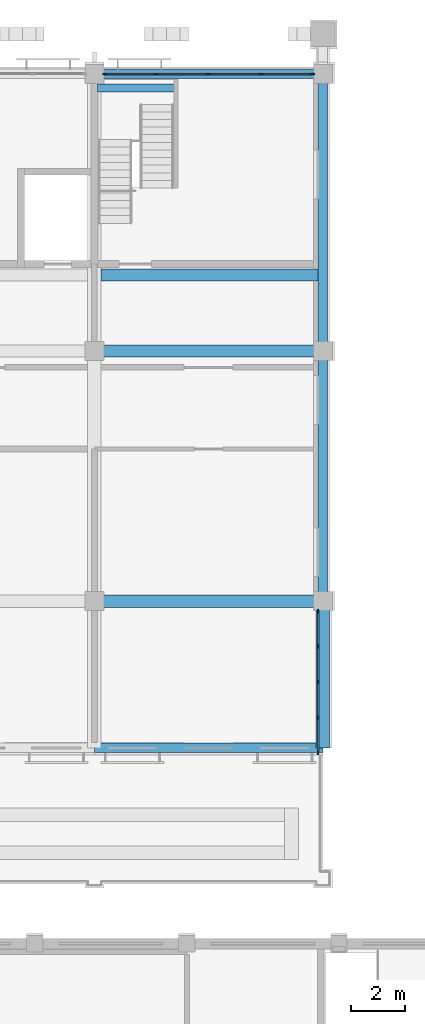
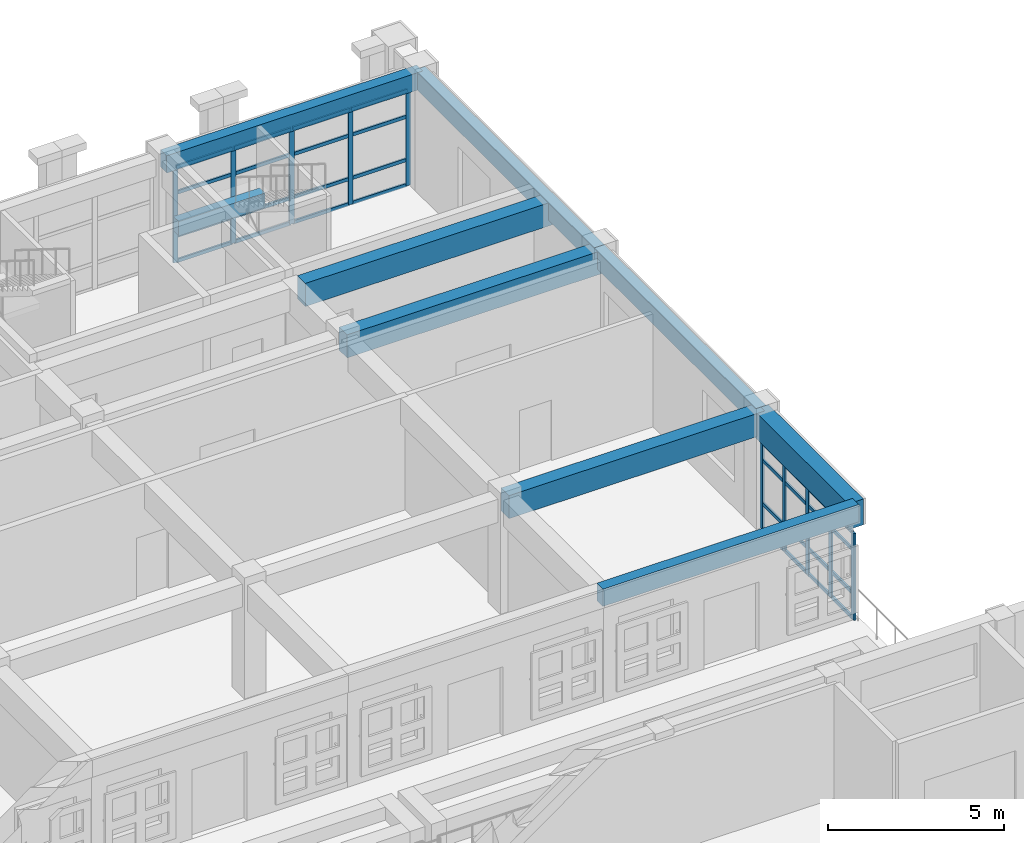
# One storey, part 32 of 99: 42 members, 9 beams, 2 elements without a shape of their own.
"""IFC4 building model written with IfcOpenShell, lengths in metres."""

from ifc_helpers import new_model, si_unit, direction, frame, origin, origin_2d, place, context, subcontext, project, spatial, rectangle, extrude, material, layer, layer_set, material_profile, profile_set, type_object, element, aggregate, save


model = new_model("IFC4")

# Units and contexts
model_context = context("Model", 3, precision=1e-05, world=origin(), true_north=direction((0.0, 1.0)))
body_context = subcontext(model_context, "Body", "Model", "MODEL_VIEW")
ifc_project = project(units=[si_unit("LENGTHUNIT", "METRE"), si_unit("AREAUNIT", "SQUARE_METRE"), si_unit("VOLUMEUNIT", "CUBIC_METRE"), si_unit("PLANEANGLEUNIT", "RADIAN"), si_unit("MASSUNIT", "GRAM", prefix="KILO")], contexts=[model_context])

# Site, building, storey
site_placement = place(None, origin())
site = spatial("IfcSite", under=ifc_project, at=site_placement, CompositionType="ELEMENT")
building_placement = place(site_placement, origin())
building = spatial("IfcBuilding", under=site, at=building_placement, Name="Wasatch Bagh Community Centre", CompositionType="ELEMENT")
storey_placement = place(building_placement, frame((0.0, 0.0, 4.199951171875)))
storey = spatial("IfcBuildingStorey", under=building, at=storey_placement, Name="L01", CompositionType="ELEMENT", Elevation=4.199951171875)

# Beams
ifc_material_1 = material(Name="Concrete C35", Category="concrete")
ifc_material_profile_1 = material_profile(ifc_material_1, rectangle(XDim=0.300048828125, YDim=0.5, at=origin_2d()), Name="RC 300x500")
ifc_profile_set_1 = profile_set([ifc_material_profile_1], Name="Concrete C35")
beam_type_1 = type_object("IfcBeamType", Name="LW RC 300x500", PredefinedType="BEAM", material=ifc_profile_set_1)
beam_1_placement = place(storey_placement, frame((131.304931640625, 97.280029296875, 1.650146484375), z_axis=(1.0, 0.0, 0.0), x_axis=(0.0, 1.0, 0.0)))
element("IfcBeam", 1, at=beam_1_placement, inside=storey, type_object=beam_type_1, Name="LW.lbeam.L01.ES", PredefinedType="BEAM", context=body_context, shape_type="SweptSolid", body=[
    extrude(rectangle(XDim=0.300048828125, YDim=0.5, at=origin_2d()), origin(), (0.0, 0.0, 1.0), 2.840087890625),
])
ifc_material_profile_2 = material_profile(ifc_material_1, rectangle(XDim=0.35009765625, YDim=0.60009765625, at=origin_2d()), Name="RC 350x600")
ifc_profile_set_2 = profile_set([ifc_material_profile_2], Name="Concrete C35")
beam_type_2 = type_object("IfcBeamType", Name="LW RC 350x600", PredefinedType="BEAM", material=ifc_profile_set_2)
beam_2_placement = place(storey_placement, frame((131.199951171875, 97.800048828125, 3.6201171875), z_axis=(1.0, 0.0, 0.0), x_axis=(0.0, 1.0, 0.0)))
element("IfcBeam", 2, at=beam_2_placement, inside=storey, type_object=beam_type_2, Name="W9-W10N", PredefinedType="BEAM", context=body_context, shape_type="SweptSolid", body=[
    extrude(rectangle(XDim=0.35009765625, YDim=0.60009765625, at=origin_2d()), origin(), (0.0, 0.0, 1.0), 8.400146484375),
])
beam_3_placement = place(storey_placement, frame((139.60009765625, 78.39990234375, 3.6201171875), z_axis=(0.0, 1.0, 0.0), x_axis=(-1.0, 0.0, 0.0)))
element("IfcBeam", 3, at=beam_3_placement, inside=storey, type_object=beam_type_2, Name="W10S-M", PredefinedType="BEAM", context=body_context, shape_type="SweptSolid", body=[
    extrude(rectangle(XDim=0.35009765625, YDim=0.60009765625, at=origin_2d()), origin(), (0.0, 0.0, 1.0), 9.2001953125),
])
beam_4_placement = place(storey_placement, frame((139.60009765625, 87.60009765625, 3.6201171875), z_axis=(0.0, 1.0, 0.0), x_axis=(-1.0, 0.0, 0.0)))
element("IfcBeam", 4, at=beam_4_placement, inside=storey, type_object=beam_type_2, Name="W10M-N", PredefinedType="BEAM", context=body_context, shape_type="SweptSolid", body=[
    extrude(rectangle(XDim=0.35009765625, YDim=0.60009765625, at=origin_2d()), origin(), (0.0, 0.0, 1.0), 10.199951171875),
])
beam_5_placement = place(storey_placement, frame((131.199951171875, 73.0, 3.6201171875), z_axis=(1.0, 0.0, 0.0), x_axis=(0.0, 1.0, 0.0)))
element("IfcBeam", 5, at=beam_5_placement, inside=storey, type_object=beam_type_2, Name="W9-W10tip", PredefinedType="BEAM", context=body_context, shape_type="SweptSolid", body=[
    extrude(rectangle(XDim=0.35009765625, YDim=0.60009765625, at=origin_2d()), origin(), (0.0, 0.0, 1.0), 8.400146484375),
])
ifc_material_profile_3 = material_profile(ifc_material_1, rectangle(XDim=0.449951171875, YDim=0.800048828125, at=origin_2d()), Name="RC 450x800")
ifc_profile_set_3 = profile_set([ifc_material_profile_3], Name="Concrete C35")
beam_type_3 = type_object("IfcBeamType", Name="LW RC 450x800", PredefinedType="BEAM", material=ifc_profile_set_3)
for number, where, z_axis, x_axis, name in (
    (6, (131.199951171875, 78.39990234375, 3.52001953125), (1.0, 0.0, 0.0), (0.0, 1.0, 0.0), "W9-W10S"),
    (7, (131.199951171875, 87.60009765625, 3.52001953125), (1.0, 0.0, 0.0), (0.0, 1.0, 0.0), "W9-W10M"),
):
    element("IfcBeam", number, at=place(storey_placement, frame(where, z_axis=z_axis, x_axis=x_axis)), inside=storey, type_object=beam_type_3, Name=name, PredefinedType="BEAM", context=body_context, shape_type="SweptSolid", body=[
        extrude(rectangle(XDim=0.449951171875, YDim=0.800048828125, at=origin_2d()), origin(), (0.0, 0.0, 1.0), 8.400146484375),
    ])
beam_6_placement = place(storey_placement, frame((131.449951171875, 90.39990234375, 3.52001953125), z_axis=(1.0, 0.0, 0.0), x_axis=(0.0, 1.0, 0.0)))
element("IfcBeam", 8, at=beam_6_placement, inside=storey, type_object=beam_type_3, Name="ES-transfer", PredefinedType="BEAM", context=body_context, shape_type="SweptSolid", body=[
    extrude(rectangle(XDim=0.449951171875, YDim=0.800048828125, at=origin_2d()), origin(), (0.0, 0.0, 1.0), 8.150146484375),
])
ifc_material_profile_4 = material_profile(ifc_material_1, rectangle(XDim=0.5, YDim=0.89990234375, at=origin_2d()), Name="RC 500x900")
ifc_profile_set_4 = profile_set([ifc_material_profile_4], Name="Concrete C35")
beam_type_4 = type_object("IfcBeamType", Name="LW RC 500x900", PredefinedType="BEAM", material=ifc_profile_set_4)
beam_7_placement = place(storey_placement, frame((139.60009765625, 78.39990234375, 3.469970703125), z_axis=(0.0, -1.0, 0.0), x_axis=(1.0, 0.0, 0.0)))
element("IfcBeam", 9, at=beam_7_placement, inside=storey, type_object=beam_type_4, Name="W10S-tip", PredefinedType="BEAM", context=body_context, shape_type="SweptSolid", body=[
    extrude(rectangle(XDim=0.5, YDim=0.89990234375, at=origin_2d()), origin(), (0.0, 0.0, 1.0), 5.39990234375),
])

# Curtain wall, members
ifc_material_2 = material(Name="Aluminium curtain wall frame with low-iron glass", Category="aluminium")
ifc_layer_1 = layer(ifc_material_2, 0.10009765625)
ifc_layer_set_1 = layer_set([ifc_layer_1], Name="Aluminium curtain wall frame with low-iron glass")
curtain_wall_type_1 = type_object("IfcCurtainWallType", Name="LW curtain wall 100", PredefinedType="NOTDEFINED", material=ifc_layer_set_1)
curtain_wall_1_placement = place(storey_placement, origin())
curtain_wall_1 = element("IfcCurtainWall", 10, at=curtain_wall_1_placement, inside=storey, type_object=curtain_wall_type_1, Name="Curtain wall 01.07", PredefinedType="NOTDEFINED")
ifc_material_3 = material(Name="Aluminium extrusion", Category="aluminium")
ifc_material_profile_5 = material_profile(ifc_material_3, rectangle(XDim=0.06005859375, YDim=0.159912109375, at=origin_2d()), Name="AL 60x160")
ifc_profile_set_5 = profile_set([ifc_material_profile_5], Name="Aluminium extrusion")
member_type_1 = type_object("IfcMemberType", Name="LW curtain wall mullion 60x160", PredefinedType="MULLION", material=ifc_profile_set_5)
member_1_placement = place(storey_placement, frame((131.580078125, 97.800048828125, 0.0), z_axis=(0.0, 0.0, 1.0), x_axis=(0.0, 1.0, 0.0)))
member_1 = element("IfcMember", 11, at=member_1_placement, type_object=member_type_1, Name="LW-CW1 mullion 1", PredefinedType="MULLION", context=body_context, shape_type="SweptSolid", body=[
    extrude(rectangle(XDim=0.06005859375, YDim=0.159912109375, at=origin_2d()), origin(), (0.0, 0.0, 1.0), 3.320068359375),
])
member_2_placement = place(storey_placement, frame((133.47509765625, 97.800048828125, 0.0), z_axis=(0.0, 0.0, 1.0), x_axis=(0.0, 1.0, 0.0)))
member_2 = element("IfcMember", 12, at=member_2_placement, type_object=member_type_1, Name="LW-CW1 mullion 2", PredefinedType="MULLION", context=body_context, shape_type="SweptSolid", body=[
    extrude(rectangle(XDim=0.06005859375, YDim=0.159912109375, at=origin_2d()), origin(), (0.0, 0.0, 1.0), 3.320068359375),
])
member_3_placement = place(storey_placement, frame((135.39990234375, 97.800048828125, 0.0), z_axis=(0.0, 0.0, 1.0), x_axis=(0.0, 1.0, 0.0)))
member_3 = element("IfcMember", 13, at=member_3_placement, type_object=member_type_1, Name="LW-CW1 mullion 3", PredefinedType="MULLION", context=body_context, shape_type="SweptSolid", body=[
    extrude(rectangle(XDim=0.06005859375, YDim=0.159912109375, at=origin_2d()), origin(), (0.0, 0.0, 1.0), 3.320068359375),
])
member_4_placement = place(storey_placement, frame((137.324951171875, 97.800048828125, 0.0), z_axis=(0.0, 0.0, 1.0), x_axis=(0.0, 1.0, 0.0)))
member_4 = element("IfcMember", 14, at=member_4_placement, type_object=member_type_1, Name="LW-CW1 mullion 4", PredefinedType="MULLION", context=body_context, shape_type="SweptSolid", body=[
    extrude(rectangle(XDim=0.06005859375, YDim=0.159912109375, at=origin_2d()), origin(), (0.0, 0.0, 1.0), 3.320068359375),
])
member_5_placement = place(storey_placement, frame((139.219970703125, 97.800048828125, 0.0), z_axis=(0.0, 0.0, 1.0), x_axis=(0.0, 1.0, 0.0)))
member_5 = element("IfcMember", 15, at=member_5_placement, type_object=member_type_1, Name="LW-CW1 mullion 5", PredefinedType="MULLION", context=body_context, shape_type="SweptSolid", body=[
    extrude(rectangle(XDim=0.06005859375, YDim=0.159912109375, at=origin_2d()), origin(), (0.0, 0.0, 1.0), 3.320068359375),
])

ifc_layer_2 = layer(ifc_material_2, 0.159912109375)
ifc_layer_set_2 = layer_set([ifc_layer_2], Name="Aluminium curtain wall frame with low-iron glass")
curtain_wall_type_2 = type_object("IfcCurtainWallType", Name="LW gable curtain wall 160", PredefinedType="NOTDEFINED", material=ifc_layer_set_2)
curtain_wall_2_placement = place(storey_placement, origin())
curtain_wall_2 = element("IfcCurtainWall", 16, at=curtain_wall_2_placement, inside=storey, type_object=curtain_wall_type_2, Name="Curtain wall 01.09", PredefinedType="NOTDEFINED")
ifc_material_profile_6 = material_profile(ifc_material_3, rectangle(XDim=0.06005859375, YDim=0.159912109375, at=origin_2d()), Name="AL 60x160")
ifc_profile_set_6 = profile_set([ifc_material_profile_6], Name="Aluminium extrusion")
member_type_2 = type_object("IfcMemberType", Name="LW curtain wall mullion 60x160 LW-CW4", PredefinedType="MULLION", material=ifc_profile_set_6)
member_6_placement = place(storey_placement, frame((139.425048828125, 72.830078125, 0.0), z_axis=(0.0, 0.0, 1.0), x_axis=(-1.0, 0.0, 0.0)))
member_6 = element("IfcMember", 17, at=member_6_placement, type_object=member_type_2, Name="LW-CW4 mullion 1", PredefinedType="MULLION", context=body_context, shape_type="SweptSolid", body=[
    extrude(rectangle(XDim=0.06005859375, YDim=0.159912109375, at=origin_2d()), origin(), (0.0, 0.0, 1.0), 3.02001953125),
])
member_7_placement = place(storey_placement, frame((139.425048828125, 74.112548828125, 0.0), z_axis=(0.0, 0.0, 1.0), x_axis=(-1.0, 0.0, 0.0)))
member_7 = element("IfcMember", 18, at=member_7_placement, type_object=member_type_2, Name="LW-CW4 mullion 2", PredefinedType="MULLION", context=body_context, shape_type="SweptSolid", body=[
    extrude(rectangle(XDim=0.06005859375, YDim=0.159912109375, at=origin_2d()), origin(), (0.0, 0.0, 1.0), 3.02001953125),
])
member_8_placement = place(storey_placement, frame((139.425048828125, 75.425048828125, 0.0), z_axis=(0.0, 0.0, 1.0), x_axis=(-1.0, 0.0, 0.0)))
member_8 = element("IfcMember", 19, at=member_8_placement, type_object=member_type_2, Name="LW-CW4 mullion 3", PredefinedType="MULLION", context=body_context, shape_type="SweptSolid", body=[
    extrude(rectangle(XDim=0.06005859375, YDim=0.159912109375, at=origin_2d()), origin(), (0.0, 0.0, 1.0), 3.02001953125),
])
member_9_placement = place(storey_placement, frame((139.425048828125, 76.737548828125, 0.0), z_axis=(0.0, 0.0, 1.0), x_axis=(-1.0, 0.0, 0.0)))
member_9 = element("IfcMember", 20, at=member_9_placement, type_object=member_type_2, Name="LW-CW4 mullion 4", PredefinedType="MULLION", context=body_context, shape_type="SweptSolid", body=[
    extrude(rectangle(XDim=0.06005859375, YDim=0.159912109375, at=origin_2d()), origin(), (0.0, 0.0, 1.0), 3.02001953125),
])
member_10_placement = place(storey_placement, frame((139.425048828125, 78.02001953125, 0.0), z_axis=(0.0, 0.0, 1.0), x_axis=(-1.0, 0.0, 0.0)))
member_10 = element("IfcMember", 21, at=member_10_placement, type_object=member_type_2, Name="LW-CW4 mullion 5", PredefinedType="MULLION", context=body_context, shape_type="SweptSolid", body=[
    extrude(rectangle(XDim=0.06005859375, YDim=0.159912109375, at=origin_2d()), origin(), (0.0, 0.0, 1.0), 3.02001953125),
])

# Member
ifc_material_profile_7 = material_profile(ifc_material_3, rectangle(XDim=0.06005859375, YDim=0.1201171875, at=origin_2d()), Name="AL 60x120")
ifc_profile_set_7 = profile_set([ifc_material_profile_7], Name="Aluminium extrusion")
member_type_3 = type_object("IfcMemberType", Name="LW curtain wall transom 60x120", PredefinedType="USERDEFINED", material=ifc_profile_set_7)
member_11_placement = place(storey_placement, frame((131.610107421875, 97.800048828125, 0.030029296875), z_axis=(1.0, 0.0, 0.0), x_axis=(0.0, 1.0, 0.0)))
member_11 = element("IfcMember", 22, at=member_11_placement, type_object=member_type_3, Name="LW-CW1 transom 1.1", ObjectType="TRANSOM", PredefinedType="USERDEFINED", context=body_context, shape_type="SweptSolid", body=[
    extrude(rectangle(XDim=0.06005859375, YDim=0.1201171875, at=origin_2d()), origin(), (0.0, 0.0, 1.0), 1.8349609375),
])

member_12_placement = place(storey_placement, frame((131.610107421875, 97.800048828125, 0.900146484375), z_axis=(1.0, 0.0, 0.0), x_axis=(0.0, 1.0, 0.0)))
member_12 = element("IfcMember", 23, at=member_12_placement, type_object=member_type_3, Name="LW-CW1 transom 1.2", ObjectType="TRANSOM", PredefinedType="USERDEFINED", context=body_context, shape_type="SweptSolid", body=[
    extrude(rectangle(XDim=0.06005859375, YDim=0.1201171875, at=origin_2d()), origin(), (0.0, 0.0, 1.0), 1.8349609375),
])

member_13_placement = place(storey_placement, frame((131.610107421875, 97.800048828125, 2.400146484375), z_axis=(1.0, 0.0, 0.0), x_axis=(0.0, 1.0, 0.0)))
member_13 = element("IfcMember", 24, at=member_13_placement, type_object=member_type_3, Name="LW-CW1 transom 1.3", ObjectType="TRANSOM", PredefinedType="USERDEFINED", context=body_context, shape_type="SweptSolid", body=[
    extrude(rectangle(XDim=0.06005859375, YDim=0.1201171875, at=origin_2d()), origin(), (0.0, 0.0, 1.0), 1.8349609375),
])

member_14_placement = place(storey_placement, frame((131.610107421875, 97.800048828125, 3.2900390625), z_axis=(1.0, 0.0, 0.0), x_axis=(0.0, 1.0, 0.0)))
member_14 = element("IfcMember", 25, at=member_14_placement, type_object=member_type_3, Name="LW-CW1 transom 1.4", ObjectType="TRANSOM", PredefinedType="USERDEFINED", context=body_context, shape_type="SweptSolid", body=[
    extrude(rectangle(XDim=0.06005859375, YDim=0.1201171875, at=origin_2d()), origin(), (0.0, 0.0, 1.0), 1.8349609375),
])

member_15_placement = place(storey_placement, frame((133.5048828125, 97.800048828125, 0.030029296875), z_axis=(1.0, 0.0, 0.0), x_axis=(0.0, 1.0, 0.0)))
member_15 = element("IfcMember", 26, at=member_15_placement, type_object=member_type_3, Name="LW-CW1 transom 2.1", ObjectType="TRANSOM", PredefinedType="USERDEFINED", context=body_context, shape_type="SweptSolid", body=[
    extrude(rectangle(XDim=0.06005859375, YDim=0.1201171875, at=origin_2d()), origin(), (0.0, 0.0, 1.0), 1.865234375),
])

member_16_placement = place(storey_placement, frame((133.5048828125, 97.800048828125, 0.900146484375), z_axis=(1.0, 0.0, 0.0), x_axis=(0.0, 1.0, 0.0)))
member_16 = element("IfcMember", 27, at=member_16_placement, type_object=member_type_3, Name="LW-CW1 transom 2.2", ObjectType="TRANSOM", PredefinedType="USERDEFINED", context=body_context, shape_type="SweptSolid", body=[
    extrude(rectangle(XDim=0.06005859375, YDim=0.1201171875, at=origin_2d()), origin(), (0.0, 0.0, 1.0), 1.865234375),
])

member_17_placement = place(storey_placement, frame((133.5048828125, 97.800048828125, 2.400146484375), z_axis=(1.0, 0.0, 0.0), x_axis=(0.0, 1.0, 0.0)))
member_17 = element("IfcMember", 28, at=member_17_placement, type_object=member_type_3, Name="LW-CW1 transom 2.3", ObjectType="TRANSOM", PredefinedType="USERDEFINED", context=body_context, shape_type="SweptSolid", body=[
    extrude(rectangle(XDim=0.06005859375, YDim=0.1201171875, at=origin_2d()), origin(), (0.0, 0.0, 1.0), 1.865234375),
])

member_18_placement = place(storey_placement, frame((133.5048828125, 97.800048828125, 3.2900390625), z_axis=(1.0, 0.0, 0.0), x_axis=(0.0, 1.0, 0.0)))
member_18 = element("IfcMember", 29, at=member_18_placement, type_object=member_type_3, Name="LW-CW1 transom 2.4", ObjectType="TRANSOM", PredefinedType="USERDEFINED", context=body_context, shape_type="SweptSolid", body=[
    extrude(rectangle(XDim=0.06005859375, YDim=0.1201171875, at=origin_2d()), origin(), (0.0, 0.0, 1.0), 1.865234375),
])

member_19_placement = place(storey_placement, frame((135.429931640625, 97.800048828125, 0.030029296875), z_axis=(1.0, 0.0, 0.0), x_axis=(0.0, 1.0, 0.0)))
member_19 = element("IfcMember", 30, at=member_19_placement, type_object=member_type_3, Name="LW-CW1 transom 3.1", ObjectType="TRANSOM", PredefinedType="USERDEFINED", context=body_context, shape_type="SweptSolid", body=[
    extrude(rectangle(XDim=0.06005859375, YDim=0.1201171875, at=origin_2d()), origin(), (0.0, 0.0, 1.0), 1.864990234375),
])

member_20_placement = place(storey_placement, frame((135.429931640625, 97.800048828125, 0.900146484375), z_axis=(1.0, 0.0, 0.0), x_axis=(0.0, 1.0, 0.0)))
member_20 = element("IfcMember", 31, at=member_20_placement, type_object=member_type_3, Name="LW-CW1 transom 3.2", ObjectType="TRANSOM", PredefinedType="USERDEFINED", context=body_context, shape_type="SweptSolid", body=[
    extrude(rectangle(XDim=0.06005859375, YDim=0.1201171875, at=origin_2d()), origin(), (0.0, 0.0, 1.0), 1.864990234375),
])

member_21_placement = place(storey_placement, frame((135.429931640625, 97.800048828125, 2.400146484375), z_axis=(1.0, 0.0, 0.0), x_axis=(0.0, 1.0, 0.0)))
member_21 = element("IfcMember", 32, at=member_21_placement, type_object=member_type_3, Name="LW-CW1 transom 3.3", ObjectType="TRANSOM", PredefinedType="USERDEFINED", context=body_context, shape_type="SweptSolid", body=[
    extrude(rectangle(XDim=0.06005859375, YDim=0.1201171875, at=origin_2d()), origin(), (0.0, 0.0, 1.0), 1.864990234375),
])

member_22_placement = place(storey_placement, frame((135.429931640625, 97.800048828125, 3.2900390625), z_axis=(1.0, 0.0, 0.0), x_axis=(0.0, 1.0, 0.0)))
member_22 = element("IfcMember", 33, at=member_22_placement, type_object=member_type_3, Name="LW-CW1 transom 3.4", ObjectType="TRANSOM", PredefinedType="USERDEFINED", context=body_context, shape_type="SweptSolid", body=[
    extrude(rectangle(XDim=0.06005859375, YDim=0.1201171875, at=origin_2d()), origin(), (0.0, 0.0, 1.0), 1.864990234375),
])

member_23_placement = place(storey_placement, frame((137.35498046875, 97.800048828125, 0.030029296875), z_axis=(1.0, 0.0, 0.0), x_axis=(0.0, 1.0, 0.0)))
member_23 = element("IfcMember", 34, at=member_23_placement, type_object=member_type_3, Name="LW-CW1 transom 4.1", ObjectType="TRANSOM", PredefinedType="USERDEFINED", context=body_context, shape_type="SweptSolid", body=[
    extrude(rectangle(XDim=0.06005859375, YDim=0.1201171875, at=origin_2d()), origin(), (0.0, 0.0, 1.0), 1.8349609375),
])

member_24_placement = place(storey_placement, frame((137.35498046875, 97.800048828125, 0.900146484375), z_axis=(1.0, 0.0, 0.0), x_axis=(0.0, 1.0, 0.0)))
member_24 = element("IfcMember", 35, at=member_24_placement, type_object=member_type_3, Name="LW-CW1 transom 4.2", ObjectType="TRANSOM", PredefinedType="USERDEFINED", context=body_context, shape_type="SweptSolid", body=[
    extrude(rectangle(XDim=0.06005859375, YDim=0.1201171875, at=origin_2d()), origin(), (0.0, 0.0, 1.0), 1.8349609375),
])

member_25_placement = place(storey_placement, frame((137.35498046875, 97.800048828125, 2.400146484375), z_axis=(1.0, 0.0, 0.0), x_axis=(0.0, 1.0, 0.0)))
member_25 = element("IfcMember", 36, at=member_25_placement, type_object=member_type_3, Name="LW-CW1 transom 4.3", ObjectType="TRANSOM", PredefinedType="USERDEFINED", context=body_context, shape_type="SweptSolid", body=[
    extrude(rectangle(XDim=0.06005859375, YDim=0.1201171875, at=origin_2d()), origin(), (0.0, 0.0, 1.0), 1.8349609375),
])

member_26_placement = place(storey_placement, frame((137.35498046875, 97.800048828125, 3.2900390625), z_axis=(1.0, 0.0, 0.0), x_axis=(0.0, 1.0, 0.0)))
member_26 = element("IfcMember", 37, at=member_26_placement, type_object=member_type_3, Name="LW-CW1 transom 4.4", ObjectType="TRANSOM", PredefinedType="USERDEFINED", context=body_context, shape_type="SweptSolid", body=[
    extrude(rectangle(XDim=0.06005859375, YDim=0.1201171875, at=origin_2d()), origin(), (0.0, 0.0, 1.0), 1.8349609375),
])

aggregate(curtain_wall_1, [member_1, member_2, member_3, member_4, member_5, member_11, member_12, member_13, member_14, member_15, member_16, member_17, member_18, member_19, member_20, member_21, member_22, member_23, member_24, member_25, member_26])

ifc_material_profile_8 = material_profile(ifc_material_3, rectangle(XDim=0.06005859375, YDim=0.1201171875, at=origin_2d()), Name="AL 60x120")
ifc_profile_set_8 = profile_set([ifc_material_profile_8], Name="Aluminium extrusion")
member_type_4 = type_object("IfcMemberType", Name="LW curtain wall transom 60x120 LW-CW4", PredefinedType="USERDEFINED", material=ifc_profile_set_8)
member_27_placement = place(storey_placement, frame((139.425048828125, 72.860107421875, 0.030029296875), z_axis=(0.0, 1.0, 0.0), x_axis=(-1.0, 0.0, 0.0)))
member_27 = element("IfcMember", 38, at=member_27_placement, type_object=member_type_4, Name="LW-CW4 transom 1.1", ObjectType="TRANSOM", PredefinedType="USERDEFINED", context=body_context, shape_type="SweptSolid", body=[
    extrude(rectangle(XDim=0.06005859375, YDim=0.1201171875, at=origin_2d()), origin(), (0.0, 0.0, 1.0), 1.222412109375),
])

member_28_placement = place(storey_placement, frame((139.425048828125, 72.860107421875, 0.900146484375), z_axis=(0.0, 1.0, 0.0), x_axis=(-1.0, 0.0, 0.0)))
member_28 = element("IfcMember", 39, at=member_28_placement, type_object=member_type_4, Name="LW-CW4 transom 1.2", ObjectType="TRANSOM", PredefinedType="USERDEFINED", context=body_context, shape_type="SweptSolid", body=[
    extrude(rectangle(XDim=0.06005859375, YDim=0.1201171875, at=origin_2d()), origin(), (0.0, 0.0, 1.0), 1.222412109375),
])

member_29_placement = place(storey_placement, frame((139.425048828125, 72.860107421875, 2.400146484375), z_axis=(0.0, 1.0, 0.0), x_axis=(-1.0, 0.0, 0.0)))
member_29 = element("IfcMember", 40, at=member_29_placement, type_object=member_type_4, Name="LW-CW4 transom 1.3", ObjectType="TRANSOM", PredefinedType="USERDEFINED", context=body_context, shape_type="SweptSolid", body=[
    extrude(rectangle(XDim=0.06005859375, YDim=0.1201171875, at=origin_2d()), origin(), (0.0, 0.0, 1.0), 1.222412109375),
])

member_30_placement = place(storey_placement, frame((139.425048828125, 72.860107421875, 2.989990234375), z_axis=(0.0, 1.0, 0.0), x_axis=(-1.0, 0.0, 0.0)))
member_30 = element("IfcMember", 41, at=member_30_placement, type_object=member_type_4, Name="LW-CW4 transom 1.4", ObjectType="TRANSOM", PredefinedType="USERDEFINED", context=body_context, shape_type="SweptSolid", body=[
    extrude(rectangle(XDim=0.06005859375, YDim=0.1201171875, at=origin_2d()), origin(), (0.0, 0.0, 1.0), 1.222412109375),
])

member_31_placement = place(storey_placement, frame((139.425048828125, 74.142578125, 0.030029296875), z_axis=(0.0, 1.0, 0.0), x_axis=(-1.0, 0.0, 0.0)))
member_31 = element("IfcMember", 42, at=member_31_placement, type_object=member_type_4, Name="LW-CW4 transom 2.1", ObjectType="TRANSOM", PredefinedType="USERDEFINED", context=body_context, shape_type="SweptSolid", body=[
    extrude(rectangle(XDim=0.06005859375, YDim=0.1201171875, at=origin_2d()), origin(), (0.0, 0.0, 1.0), 1.25244140625),
])

member_32_placement = place(storey_placement, frame((139.425048828125, 74.142578125, 0.900146484375), z_axis=(0.0, 1.0, 0.0), x_axis=(-1.0, 0.0, 0.0)))
member_32 = element("IfcMember", 43, at=member_32_placement, type_object=member_type_4, Name="LW-CW4 transom 2.2", ObjectType="TRANSOM", PredefinedType="USERDEFINED", context=body_context, shape_type="SweptSolid", body=[
    extrude(rectangle(XDim=0.06005859375, YDim=0.1201171875, at=origin_2d()), origin(), (0.0, 0.0, 1.0), 1.25244140625),
])

member_33_placement = place(storey_placement, frame((139.425048828125, 74.142578125, 2.400146484375), z_axis=(0.0, 1.0, 0.0), x_axis=(-1.0, 0.0, 0.0)))
member_33 = element("IfcMember", 44, at=member_33_placement, type_object=member_type_4, Name="LW-CW4 transom 2.3", ObjectType="TRANSOM", PredefinedType="USERDEFINED", context=body_context, shape_type="SweptSolid", body=[
    extrude(rectangle(XDim=0.06005859375, YDim=0.1201171875, at=origin_2d()), origin(), (0.0, 0.0, 1.0), 1.25244140625),
])

member_34_placement = place(storey_placement, frame((139.425048828125, 74.142578125, 2.989990234375), z_axis=(0.0, 1.0, 0.0), x_axis=(-1.0, 0.0, 0.0)))
member_34 = element("IfcMember", 45, at=member_34_placement, type_object=member_type_4, Name="LW-CW4 transom 2.4", ObjectType="TRANSOM", PredefinedType="USERDEFINED", context=body_context, shape_type="SweptSolid", body=[
    extrude(rectangle(XDim=0.06005859375, YDim=0.1201171875, at=origin_2d()), origin(), (0.0, 0.0, 1.0), 1.25244140625),
])

member_35_placement = place(storey_placement, frame((139.425048828125, 75.455078125, 0.030029296875), z_axis=(0.0, 1.0, 0.0), x_axis=(-1.0, 0.0, 0.0)))
member_35 = element("IfcMember", 46, at=member_35_placement, type_object=member_type_4, Name="LW-CW4 transom 3.1", ObjectType="TRANSOM", PredefinedType="USERDEFINED", context=body_context, shape_type="SweptSolid", body=[
    extrude(rectangle(XDim=0.06005859375, YDim=0.1201171875, at=origin_2d()), origin(), (0.0, 0.0, 1.0), 1.25244140625),
])

member_36_placement = place(storey_placement, frame((139.425048828125, 75.455078125, 0.900146484375), z_axis=(0.0, 1.0, 0.0), x_axis=(-1.0, 0.0, 0.0)))
member_36 = element("IfcMember", 47, at=member_36_placement, type_object=member_type_4, Name="LW-CW4 transom 3.2", ObjectType="TRANSOM", PredefinedType="USERDEFINED", context=body_context, shape_type="SweptSolid", body=[
    extrude(rectangle(XDim=0.06005859375, YDim=0.1201171875, at=origin_2d()), origin(), (0.0, 0.0, 1.0), 1.25244140625),
])

member_37_placement = place(storey_placement, frame((139.425048828125, 75.455078125, 2.400146484375), z_axis=(0.0, 1.0, 0.0), x_axis=(-1.0, 0.0, 0.0)))
member_37 = element("IfcMember", 48, at=member_37_placement, type_object=member_type_4, Name="LW-CW4 transom 3.3", ObjectType="TRANSOM", PredefinedType="USERDEFINED", context=body_context, shape_type="SweptSolid", body=[
    extrude(rectangle(XDim=0.06005859375, YDim=0.1201171875, at=origin_2d()), origin(), (0.0, 0.0, 1.0), 1.25244140625),
])

member_38_placement = place(storey_placement, frame((139.425048828125, 75.455078125, 2.989990234375), z_axis=(0.0, 1.0, 0.0), x_axis=(-1.0, 0.0, 0.0)))
member_38 = element("IfcMember", 49, at=member_38_placement, type_object=member_type_4, Name="LW-CW4 transom 3.4", ObjectType="TRANSOM", PredefinedType="USERDEFINED", context=body_context, shape_type="SweptSolid", body=[
    extrude(rectangle(XDim=0.06005859375, YDim=0.1201171875, at=origin_2d()), origin(), (0.0, 0.0, 1.0), 1.25244140625),
])

member_39_placement = place(storey_placement, frame((139.425048828125, 76.767578125, 0.030029296875), z_axis=(0.0, 1.0, 0.0), x_axis=(-1.0, 0.0, 0.0)))
member_39 = element("IfcMember", 50, at=member_39_placement, type_object=member_type_4, Name="LW-CW4 transom 4.1", ObjectType="TRANSOM", PredefinedType="USERDEFINED", context=body_context, shape_type="SweptSolid", body=[
    extrude(rectangle(XDim=0.06005859375, YDim=0.1201171875, at=origin_2d()), origin(), (0.0, 0.0, 1.0), 1.222412109375),
])

member_40_placement = place(storey_placement, frame((139.425048828125, 76.767578125, 0.900146484375), z_axis=(0.0, 1.0, 0.0), x_axis=(-1.0, 0.0, 0.0)))
member_40 = element("IfcMember", 51, at=member_40_placement, type_object=member_type_4, Name="LW-CW4 transom 4.2", ObjectType="TRANSOM", PredefinedType="USERDEFINED", context=body_context, shape_type="SweptSolid", body=[
    extrude(rectangle(XDim=0.06005859375, YDim=0.1201171875, at=origin_2d()), origin(), (0.0, 0.0, 1.0), 1.222412109375),
])

member_41_placement = place(storey_placement, frame((139.425048828125, 76.767578125, 2.400146484375), z_axis=(0.0, 1.0, 0.0), x_axis=(-1.0, 0.0, 0.0)))
member_41 = element("IfcMember", 52, at=member_41_placement, type_object=member_type_4, Name="LW-CW4 transom 4.3", ObjectType="TRANSOM", PredefinedType="USERDEFINED", context=body_context, shape_type="SweptSolid", body=[
    extrude(rectangle(XDim=0.06005859375, YDim=0.1201171875, at=origin_2d()), origin(), (0.0, 0.0, 1.0), 1.222412109375),
])

member_42_placement = place(storey_placement, frame((139.425048828125, 76.767578125, 2.989990234375), z_axis=(0.0, 1.0, 0.0), x_axis=(-1.0, 0.0, 0.0)))
member_42 = element("IfcMember", 53, at=member_42_placement, type_object=member_type_4, Name="LW-CW4 transom 4.4", ObjectType="TRANSOM", PredefinedType="USERDEFINED", context=body_context, shape_type="SweptSolid", body=[
    extrude(rectangle(XDim=0.06005859375, YDim=0.1201171875, at=origin_2d()), origin(), (0.0, 0.0, 1.0), 1.222412109375),
])

aggregate(curtain_wall_2, [member_6, member_7, member_8, member_9, member_10, member_27, member_28, member_29, member_30, member_31, member_32, member_33, member_34, member_35, member_36, member_37, member_38, member_39, member_40, member_41, member_42])

save(model, "model.ifc")
